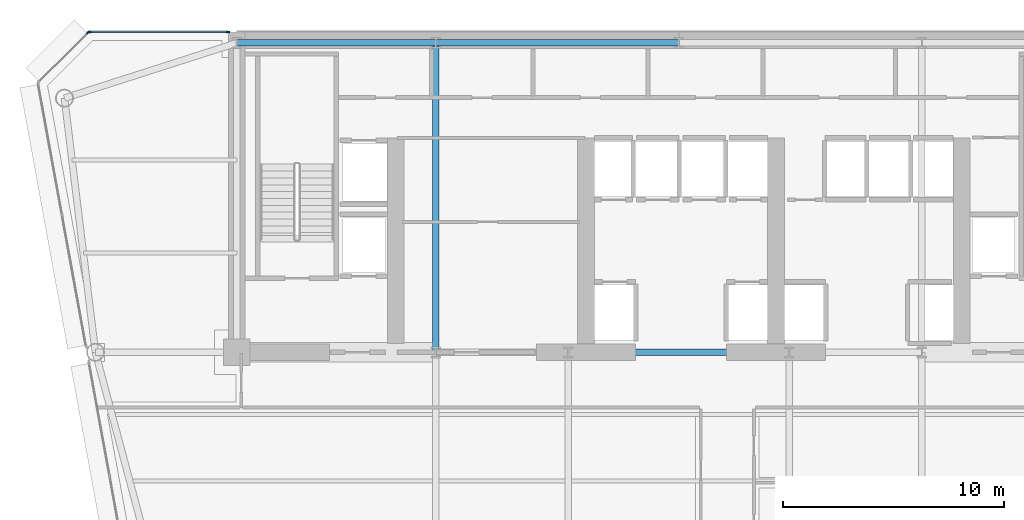
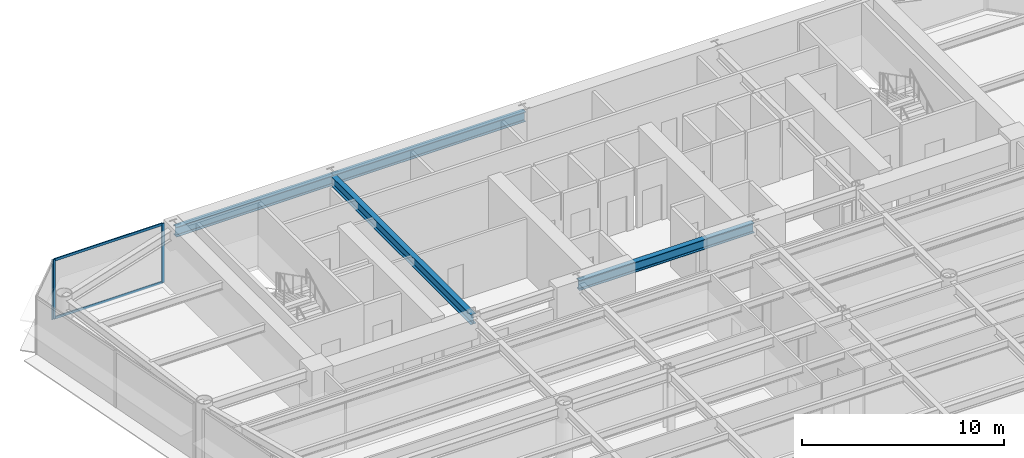
# One storey, part 8 of 17: 5 members, 4 beams, 2 elements without a shape of their own.
"""IFC4 building model written with IfcOpenShell, lengths in metres."""

from ifc_helpers import new_model, si_unit, direction, frame, origin, origin_2d, place, context, subcontext, project, spatial, rectangle, i_section, extrude, source, transform, mapped, material, layer, layer_set, material_profile, profile_set, type_object, element, aggregate, save


model = new_model("IFC4")

# Units and contexts
model_context = context("Model", 3, precision=1e-05, world=origin(), true_north=direction((0.0, 1.0)))
body_context = subcontext(model_context, "Body", "Model", "MODEL_VIEW")
ifc_project = project(units=[si_unit("LENGTHUNIT", "METRE"), si_unit("AREAUNIT", "SQUARE_METRE"), si_unit("VOLUMEUNIT", "CUBIC_METRE"), si_unit("PLANEANGLEUNIT", "RADIAN"), si_unit("MASSUNIT", "GRAM", prefix="KILO")], contexts=[model_context])

# Site, building, storey
site_placement = place(None, origin())
site = spatial("IfcSite", under=ifc_project, at=site_placement, CompositionType="ELEMENT")
building_placement = place(site_placement, origin())
building = spatial("IfcBuilding", under=site, at=building_placement, Name="Vaeldorn Concourse Tower", CompositionType="ELEMENT")
storey_placement = place(building_placement, frame((0.0, 0.0, 157.60009765625)))
storey = spatial("IfcBuildingStorey", under=building, at=storey_placement, Name="L40", CompositionType="ELEMENT", Elevation=157.60009765625)

# Beams
ifc_material_1 = material(Name="Steel S355", Category="steel")
ifc_material_profile_1 = material_profile(ifc_material_1, i_section(OverallWidth=0.300048828125, OverallDepth=0.60009765625, WebThickness=0.015380859375, FlangeThickness=0.030029296875, FilletRadius=0.027099609375, at=origin_2d()), Name="HEB 600")
ifc_profile_set_1 = profile_set([ifc_material_profile_1], Name="Steel S355")
beam_type = type_object("IfcBeamType", Name="BM-PG-HEB600", PredefinedType="BEAM", material=ifc_profile_set_1)
shared_shape_1 = source(origin(), body_context, "Body", "SweptSolid", [
    extrude(i_section(OverallWidth=0.300048828125, OverallDepth=0.60009765625, WebThickness=0.015380859375, FlangeThickness=0.030029296875, FilletRadius=0.027099609375, at=origin_2d()), origin(), (0.0, 0.0, 1.0), 10.0),
])
beam_1_placement = place(storey_placement, frame((29.0, 36.5, 3.27978515625), z_axis=(1.0, 0.0, 0.0), x_axis=(0.0, 1.0, 0.0)))
element("IfcBeam", 1, at=beam_1_placement, inside=storey, type_object=beam_type, Name="Beam BM-L40-C-FC3-C-FC4", PredefinedType="BEAM", context=body_context, shape_type="MappedRepresentation", body=[
    mapped(shared_shape_1, transform((0.0, 0.0, 0.0), scale=1.0)),
])
shared_shape_2 = source(origin(), body_context, "Body", "SweptSolid", [
    extrude(i_section(OverallWidth=0.300048828125, OverallDepth=0.60009765625, WebThickness=0.015380859375, FlangeThickness=0.030029296875, FilletRadius=0.027099609375, at=origin_2d()), origin(), (0.0, 0.0, 1.0), 9.0),
])
beam_2_placement = place(storey_placement, frame((14.0, 50.5, 3.27978515625), z_axis=(1.0, 0.0, 0.0), x_axis=(0.0, 1.0, 0.0)))
element("IfcBeam", 2, at=beam_2_placement, inside=storey, type_object=beam_type, Name="Beam BM-L40-C-HC1-C-HC2", PredefinedType="BEAM", context=body_context, shape_type="MappedRepresentation", body=[
    mapped(shared_shape_2, transform((0.0, 0.0, 0.0), scale=1.0)),
])
shared_shape_3 = source(origin(), body_context, "Body", "SweptSolid", [
    extrude(i_section(OverallWidth=0.300048828125, OverallDepth=0.60009765625, WebThickness=0.015380859375, FlangeThickness=0.030029296875, FilletRadius=0.027099609375, at=origin_2d()), origin(), (0.0, 0.0, 1.0), 11.0),
])
beam_3_placement = place(storey_placement, frame((23.0, 50.5, 3.27978515625), z_axis=(1.0, 0.0, 0.0), x_axis=(0.0, 1.0, 0.0)))
element("IfcBeam", 3, at=beam_3_placement, inside=storey, type_object=beam_type, Name="Beam BM-L40-C-HC2-C-HC3", PredefinedType="BEAM", context=body_context, shape_type="MappedRepresentation", body=[
    mapped(shared_shape_3, transform((0.0, 0.0, 0.0), scale=1.0)),
])
shared_shape_4 = source(origin(), body_context, "Body", "SweptSolid", [
    extrude(i_section(OverallWidth=0.300048828125, OverallDepth=0.60009765625, WebThickness=0.015380859375, FlangeThickness=0.030029296875, FilletRadius=0.027099609375, at=origin_2d()), origin(), (0.0, 0.0, 1.0), 14.0),
])
beam_4_placement = place(storey_placement, frame((23.0, 36.5, 3.27978515625), z_axis=(0.0, 1.0, 0.0), x_axis=(-1.0, 0.0, 0.0)))
element("IfcBeam", 4, at=beam_4_placement, inside=storey, type_object=beam_type, Name="Beam BM-L40-C-FC2-C-HC2", PredefinedType="BEAM", context=body_context, shape_type="MappedRepresentation", body=[
    mapped(shared_shape_4, transform((0.0, 0.0, 0.0), scale=1.0)),
])

# Curtain wall, members
ifc_material_2 = material(Name="Anodised Bronze Aluminium", Category="aluminium")
ifc_layer = layer(ifc_material_2, 0.18994140625)
ifc_layer_set = layer_set([ifc_layer], Name="Anodised Bronze Aluminium")
curtain_wall_type = type_object("IfcCurtainWallType", Name="CW-SYS-03", PredefinedType="NOTDEFINED", material=ifc_layer_set)
curtain_wall_1_placement = place(storey_placement, origin())
curtain_wall_1 = element("IfcCurtainWall", 5, at=curtain_wall_1_placement, inside=storey, type_object=curtain_wall_type, Name="Unitised Curtain Wall CW-L40-E09-2", PredefinedType="NOTDEFINED")
ifc_material_profile_2 = material_profile(ifc_material_2, rectangle(XDim=0.06494140625, YDim=0.169921875, at=origin_2d()), Name="CWM 65x170")
ifc_profile_set_2 = profile_set([ifc_material_profile_2], Name="Anodised Bronze Aluminium")
member_type_1 = type_object("IfcMemberType", Name="CWM-BRONZE-170", PredefinedType="MULLION", material=ifc_profile_set_2)
shared_shape_5 = source(origin(), body_context, "Body", "SweptSolid", [
    extrude(rectangle(XDim=0.06494140625, YDim=0.169921875, at=origin_2d()), origin(), (0.0, 0.0, 1.0), 3.579833984375),
])
member_1_placement = place(storey_placement, frame((13.597412109375, 51.0, 0.0), z_axis=(0.0, 0.0, 1.0), x_axis=(0.0, -1.0, 0.0)))
member_1 = element("IfcMember", 6, at=member_1_placement, type_object=member_type_1, Name="CW-03 mullion 1", PredefinedType="MULLION", context=body_context, shape_type="MappedRepresentation", body=[
    mapped(shared_shape_5, transform((0.0, 0.0, 0.0), scale=1.0)),
])
member_2_placement = place(storey_placement, frame((7.33251953125, 51.0, 0.0), z_axis=(0.0, 0.0, 1.0), x_axis=(0.0, -1.0, 0.0)))
member_2 = element("IfcMember", 7, at=member_2_placement, type_object=member_type_1, Name="CW-03 mullion 2", PredefinedType="MULLION", context=body_context, shape_type="MappedRepresentation", body=[
    mapped(shared_shape_5, transform((0.0, 0.0, 0.0), scale=1.0)),
])

# Curtain wall, member
curtain_wall_2_placement = place(storey_placement, origin())
curtain_wall_2 = element("IfcCurtainWall", 8, at=curtain_wall_2_placement, inside=storey, type_object=curtain_wall_type, Name="Unitised Curtain Wall CW-L40-E10-1", PredefinedType="NOTDEFINED")
member_3_placement = place(storey_placement, frame((7.277099609375, 50.97705078125, 0.0), z_axis=(0.0, 0.0, 1.0), x_axis=(0.707106781187, -0.707106781187, 0.0)))
member_3 = element("IfcMember", 9, at=member_3_placement, type_object=member_type_1, Name="CW-03 mullion 1", PredefinedType="MULLION", context=body_context, shape_type="MappedRepresentation", body=[
    mapped(shared_shape_5, transform((0.0, 0.0, 0.0), scale=1.0)),
])
aggregate(curtain_wall_2, [member_3])

# Member
ifc_material_profile_3 = material_profile(ifc_material_2, rectangle(XDim=0.06494140625, YDim=0.14990234375, at=origin_2d()), Name="CWT 65x150")
ifc_profile_set_3 = profile_set([ifc_material_profile_3], Name="Anodised Bronze Aluminium")
member_type_2 = type_object("IfcMemberType", Name="CWT-BRONZE-150", PredefinedType="USERDEFINED", material=ifc_profile_set_3)
shared_shape_6 = source(origin(), body_context, "Body", "SweptSolid", [
    extrude(rectangle(XDim=0.06494140625, YDim=0.14990234375, at=origin_2d()), origin(), (0.0, 0.0, 1.0), 6.199951171875),
])
member_4_placement = place(storey_placement, frame((13.56494140625, 51.0, 0.032470703125), z_axis=(-1.0, 0.0, 0.0), x_axis=(0.0, -1.0, 0.0)))
member_4 = element("IfcMember", 10, at=member_4_placement, type_object=member_type_2, Name="CW-03 transom 1.1", ObjectType="TRANSOM", PredefinedType="USERDEFINED", context=body_context, shape_type="MappedRepresentation", body=[
    mapped(shared_shape_6, transform((0.0, 0.0, 0.0), scale=1.0)),
])

member_5_placement = place(storey_placement, frame((13.56494140625, 51.0, 3.54736328125), z_axis=(-1.0, 0.0, 0.0), x_axis=(0.0, -1.0, 0.0)))
member_5 = element("IfcMember", 11, at=member_5_placement, type_object=member_type_2, Name="CW-03 transom 1.2", ObjectType="TRANSOM", PredefinedType="USERDEFINED", context=body_context, shape_type="MappedRepresentation", body=[
    mapped(shared_shape_6, transform((0.0, 0.0, 0.0), scale=1.0)),
])

aggregate(curtain_wall_1, [member_1, member_2, member_4, member_5])

save(model, "model.ifc")
